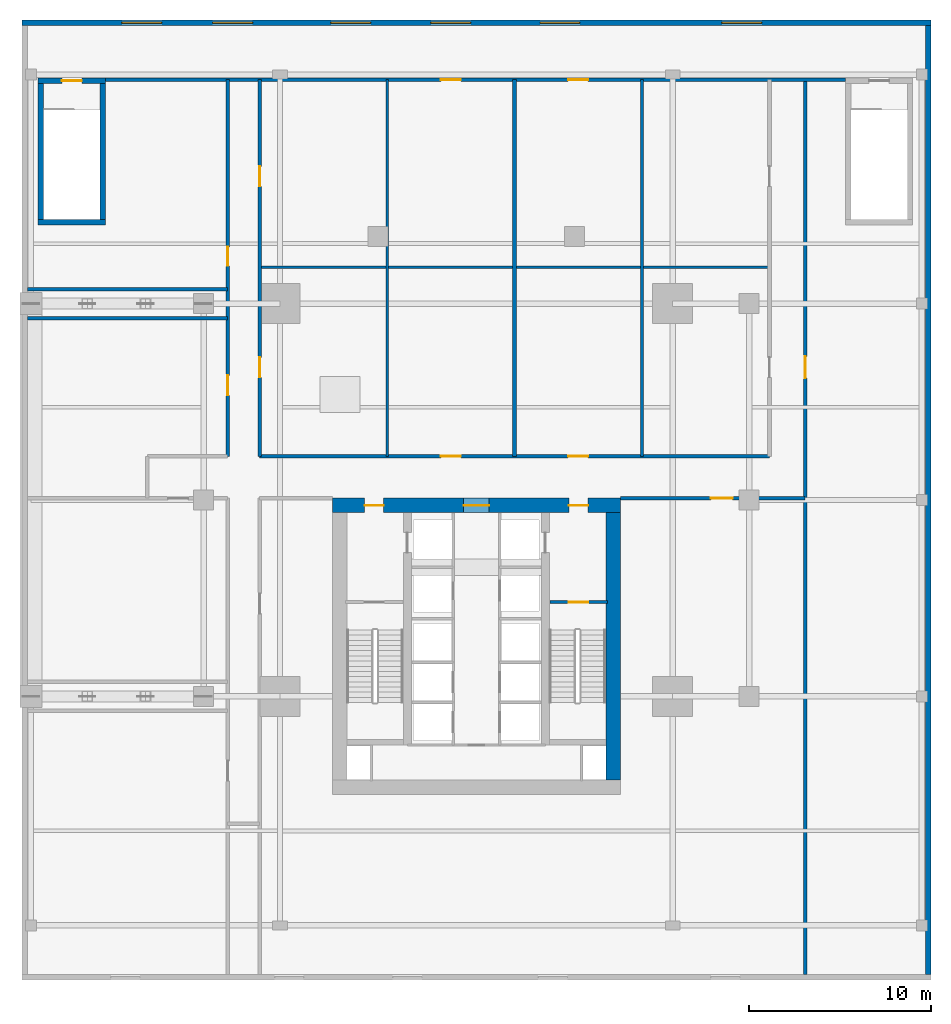
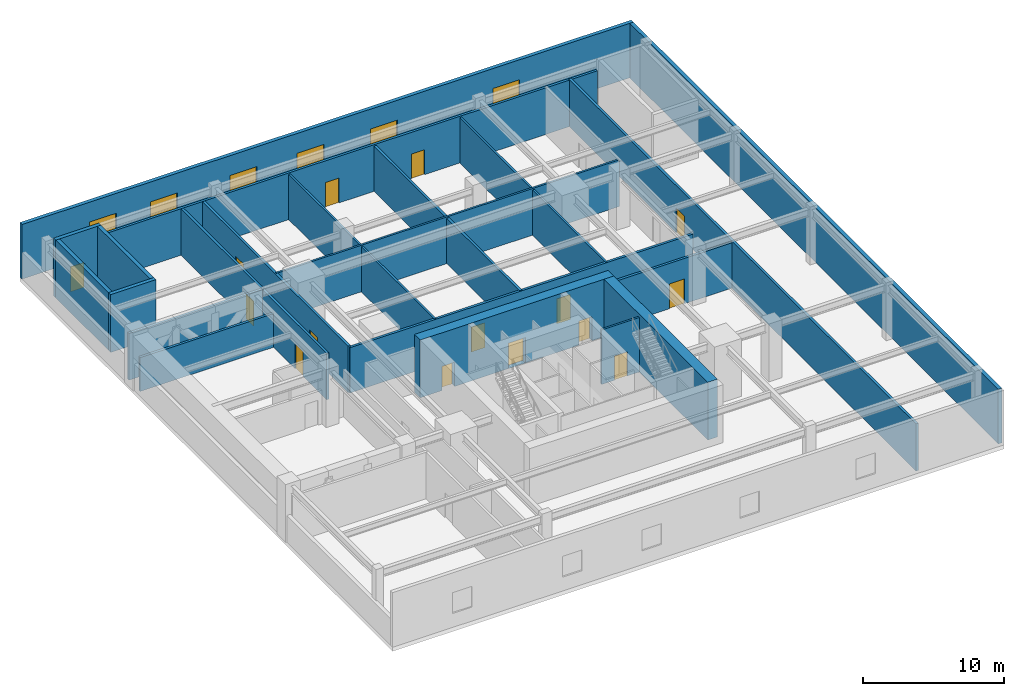
# One storey, part 4 of 7: 21 walls, 15 doors, 6 windows, 21 openings.
"""IFC4 building model written with IfcOpenShell, lengths in metres."""

from ifc_helpers import new_model, si_unit, direction, frame, frame_2d, origin, place, context, subcontext, project, spatial, rectangle, extrude, material, layer, layer_set, type_object, element, fill, save


model = new_model("IFC4")

# Units and contexts
model_context = context("Model", 3, precision=1e-05, world=origin(), true_north=direction((0.0, 1.0)))
body_context = subcontext(model_context, "Body", "Model", "MODEL_VIEW")
ifc_project = project(units=[si_unit("LENGTHUNIT", "METRE"), si_unit("AREAUNIT", "SQUARE_METRE"), si_unit("VOLUMEUNIT", "CUBIC_METRE"), si_unit("PLANEANGLEUNIT", "RADIAN"), si_unit("MASSUNIT", "GRAM", prefix="KILO")], contexts=[model_context])

# Site, building, storey
site_placement = place(None, origin())
site = spatial("IfcSite", under=ifc_project, at=site_placement, CompositionType="ELEMENT")
building_placement = place(site_placement, origin())
building = spatial("IfcBuilding", under=site, at=building_placement, Name="Krantzveldt Concourse Tower", CompositionType="ELEMENT")
storey_placement = place(building_placement, frame((0.0, 0.0, 20.0)))
storey = spatial("IfcBuildingStorey", under=building, at=storey_placement, Name="L04", CompositionType="ELEMENT", Elevation=20.0)

# Wall, openings, windows
ifc_material_1 = material(Name="Concrete C40/50", Category="concrete")
ifc_layer_1 = layer(ifc_material_1, 0.300048828125, Name="Concrete C40/50", Category="concrete")
ifc_layer_set_1 = layer_set([ifc_layer_1], Name="Concrete C40/50 (WL-EXT-GRAN300)")
wall_type_1 = type_object("IfcWallType", Name="WL-EXT-GRAN300", PredefinedType="SOLIDWALL", material=ifc_layer_set_1)
wall_1_placement = place(storey_placement, frame((11.0, 52.949951171875, 0.0), z_axis=(0.0, 0.0, 1.0), x_axis=(1.0, 0.0, 0.0)))
wall_1 = element("IfcWall", 1, at=wall_1_placement, inside=storey, type_object=wall_type_1, Name="EW-L04-N", PredefinedType="SOLIDWALL", context=body_context, shape_type="SweptSolid", body=[
    extrude(rectangle(XDim=50.0, YDim=0.300048828125, at=frame_2d((25.0, 0.0))), origin(), (0.0, 0.0, 1.0), 4.719970703125),
])
opening_1_placement = place(wall_1_placement, frame((5.5, 0.0, 1.199951171875)))
opening_1 = element("IfcOpeningElement", 2, at=opening_1_placement, cuts=wall_1, Name="Opening W-LVR-2200x1800", PredefinedType="OPENING", context=body_context, shape_type="SweptSolid", body=[
    extrude(rectangle(XDim=2.199951171875, YDim=1.800048828125, at=frame_2d((1.10009765625, 0.89990234375))), frame((0.0, 0.16015625, 0.0), z_axis=(0.0, -1.0, 0.0), x_axis=(1.0, 0.0, 0.0)), (0.0, 0.0, 1.0), 0.320068359375),
])
opening_2_placement = place(wall_1_placement, frame((10.5, 0.0, 1.199951171875)))
opening_2 = element("IfcOpeningElement", 3, at=opening_2_placement, cuts=wall_1, Name="Opening W-LVR-2200x1800", PredefinedType="OPENING", context=body_context, shape_type="SweptSolid", body=[
    extrude(rectangle(XDim=2.199951171875, YDim=1.800048828125, at=frame_2d((1.10009765625, 0.89990234375))), frame((0.0, 0.16015625, 0.0), z_axis=(0.0, -1.0, 0.0), x_axis=(1.0, 0.0, 0.0)), (0.0, 0.0, 1.0), 0.320068359375),
])
opening_3_placement = place(wall_1_placement, frame((17.0, 0.0, 1.199951171875)))
opening_3 = element("IfcOpeningElement", 4, at=opening_3_placement, cuts=wall_1, Name="Opening W-LVR-2200x1800", PredefinedType="OPENING", context=body_context, shape_type="SweptSolid", body=[
    extrude(rectangle(XDim=2.199951171875, YDim=1.800048828125, at=frame_2d((1.10009765625, 0.89990234375))), frame((0.0, 0.16015625, 0.0), z_axis=(0.0, -1.0, 0.0), x_axis=(1.0, 0.0, 0.0)), (0.0, 0.0, 1.0), 0.320068359375),
])
opening_4_placement = place(wall_1_placement, frame((22.5, 0.0, 1.199951171875)))
opening_4 = element("IfcOpeningElement", 5, at=opening_4_placement, cuts=wall_1, Name="Opening W-LVR-2200x1800", PredefinedType="OPENING", context=body_context, shape_type="SweptSolid", body=[
    extrude(rectangle(XDim=2.199951171875, YDim=1.800048828125, at=frame_2d((1.10009765625, 0.89990234375))), frame((0.0, 0.16015625, 0.0), z_axis=(0.0, -1.0, 0.0), x_axis=(1.0, 0.0, 0.0)), (0.0, 0.0, 1.0), 0.320068359375),
])
opening_5_placement = place(wall_1_placement, frame((28.5, 0.0, 1.199951171875)))
opening_5 = element("IfcOpeningElement", 6, at=opening_5_placement, cuts=wall_1, Name="Opening W-LVR-2200x1800", PredefinedType="OPENING", context=body_context, shape_type="SweptSolid", body=[
    extrude(rectangle(XDim=2.199951171875, YDim=1.800048828125, at=frame_2d((1.10009765625, 0.89990234375))), frame((0.0, 0.16015625, 0.0), z_axis=(0.0, -1.0, 0.0), x_axis=(1.0, 0.0, 0.0)), (0.0, 0.0, 1.0), 0.320068359375),
])
opening_6_placement = place(wall_1_placement, frame((38.5, 0.0, 1.199951171875)))
opening_6 = element("IfcOpeningElement", 7, at=opening_6_placement, cuts=wall_1, Name="Opening W-LVR-2200x1800", PredefinedType="OPENING", context=body_context, shape_type="SweptSolid", body=[
    extrude(rectangle(XDim=2.199951171875, YDim=1.800048828125, at=frame_2d((1.10009765625, 0.89990234375))), frame((0.0, 0.16015625, 0.0), z_axis=(0.0, -1.0, 0.0), x_axis=(1.0, 0.0, 0.0)), (0.0, 0.0, 1.0), 0.320068359375),
])
ifc_material_2 = material(Name="Bronze-tinted laminated low-E IGU glass", Category="glass")
window_type = type_object("IfcWindowType", Name="WN-LVR-2200x1800", PartitioningType="SINGLE_PANEL", PredefinedType="WINDOW", material=ifc_material_2)
window_1_placement = place(opening_1_placement, origin())
window_1 = element("IfcWindow", 8, at=window_1_placement, inside=storey, type_object=window_type, Name="WN-L04-N01", OverallHeight=1.800048828125, OverallWidth=2.199951171875, PartitioningType="SINGLE_PANEL", PredefinedType="WINDOW", context=body_context, shape_type="SweptSolid", body=[
    extrude(rectangle(XDim=2.199951171875, YDim=1.800048828125, at=frame_2d((1.10009765625, 0.89990234375))), frame((0.0, 0.030029296875, 0.0), z_axis=(0.0, -1.0, 0.0), x_axis=(1.0, 0.0, 0.0)), (0.0, 0.0, 1.0), 0.06005859375),
])
fill(opening_1, window_1)
window_2_placement = place(opening_2_placement, origin())
window_2 = element("IfcWindow", 9, at=window_2_placement, inside=storey, type_object=window_type, Name="WN-L04-N02", OverallHeight=1.800048828125, OverallWidth=2.199951171875, PartitioningType="SINGLE_PANEL", PredefinedType="WINDOW", context=body_context, shape_type="SweptSolid", body=[
    extrude(rectangle(XDim=2.199951171875, YDim=1.800048828125, at=frame_2d((1.10009765625, 0.89990234375))), frame((0.0, 0.030029296875, 0.0), z_axis=(0.0, -1.0, 0.0), x_axis=(1.0, 0.0, 0.0)), (0.0, 0.0, 1.0), 0.06005859375),
])
fill(opening_2, window_2)
window_3_placement = place(opening_3_placement, origin())
window_3 = element("IfcWindow", 10, at=window_3_placement, inside=storey, type_object=window_type, Name="WN-L04-N03", OverallHeight=1.800048828125, OverallWidth=2.199951171875, PartitioningType="SINGLE_PANEL", PredefinedType="WINDOW", context=body_context, shape_type="SweptSolid", body=[
    extrude(rectangle(XDim=2.199951171875, YDim=1.800048828125, at=frame_2d((1.10009765625, 0.89990234375))), frame((0.0, 0.030029296875, 0.0), z_axis=(0.0, -1.0, 0.0), x_axis=(1.0, 0.0, 0.0)), (0.0, 0.0, 1.0), 0.06005859375),
])
fill(opening_3, window_3)
window_4_placement = place(opening_4_placement, origin())
window_4 = element("IfcWindow", 11, at=window_4_placement, inside=storey, type_object=window_type, Name="WN-L04-N04", OverallHeight=1.800048828125, OverallWidth=2.199951171875, PartitioningType="SINGLE_PANEL", PredefinedType="WINDOW", context=body_context, shape_type="SweptSolid", body=[
    extrude(rectangle(XDim=2.199951171875, YDim=1.800048828125, at=frame_2d((1.10009765625, 0.89990234375))), frame((0.0, 0.030029296875, 0.0), z_axis=(0.0, -1.0, 0.0), x_axis=(1.0, 0.0, 0.0)), (0.0, 0.0, 1.0), 0.06005859375),
])
fill(opening_4, window_4)
window_5_placement = place(opening_5_placement, origin())
window_5 = element("IfcWindow", 12, at=window_5_placement, inside=storey, type_object=window_type, Name="WN-L04-N05", OverallHeight=1.800048828125, OverallWidth=2.199951171875, PartitioningType="SINGLE_PANEL", PredefinedType="WINDOW", context=body_context, shape_type="SweptSolid", body=[
    extrude(rectangle(XDim=2.199951171875, YDim=1.800048828125, at=frame_2d((1.10009765625, 0.89990234375))), frame((0.0, 0.030029296875, 0.0), z_axis=(0.0, -1.0, 0.0), x_axis=(1.0, 0.0, 0.0)), (0.0, 0.0, 1.0), 0.06005859375),
])
fill(opening_5, window_5)
window_6_placement = place(opening_6_placement, origin())
window_6 = element("IfcWindow", 13, at=window_6_placement, inside=storey, type_object=window_type, Name="WN-L04-N06", OverallHeight=1.800048828125, OverallWidth=2.199951171875, PartitioningType="SINGLE_PANEL", PredefinedType="WINDOW", context=body_context, shape_type="SweptSolid", body=[
    extrude(rectangle(XDim=2.199951171875, YDim=1.800048828125, at=frame_2d((1.10009765625, 0.89990234375))), frame((0.0, 0.030029296875, 0.0), z_axis=(0.0, -1.0, 0.0), x_axis=(1.0, 0.0, 0.0)), (0.0, 0.0, 1.0), 0.06005859375),
])
fill(opening_6, window_6)

# Wall
wall_2_placement = place(storey_placement, frame((60.85009765625, 52.800048828125, 0.0), z_axis=(0.0, 0.0, 1.0), x_axis=(0.0, -1.0, 0.0)))
element("IfcWall", 14, at=wall_2_placement, inside=storey, type_object=wall_type_1, Name="EW-L04-E", PredefinedType="SOLIDWALL", context=body_context, shape_type="SweptSolid", body=[
    extrude(rectangle(XDim=52.199951171875, YDim=0.300048828125, at=frame_2d((26.10009765625, 0.0))), origin(), (0.0, 0.0, 1.0), 4.719970703125),
])

# Wall, opening, door
ifc_material_3 = material(Name="Fire-rated gypsum plasterboard on steel stud", Category="steel")
ifc_layer_2 = layer(ifc_material_3, 0.159912109375, Name="Fire-rated gypsum plasterboard on steel stud", Category="steel")
ifc_layer_set_2 = layer_set([ifc_layer_2], Name="Fire-rated gypsum plasterboard on steel stud (WL-PART-FR160)")
wall_type_2 = type_object("IfcWallType", Name="WL-PART-FR160", PredefinedType="PARTITIONING", material=ifc_layer_set_2)
wall_3_placement = place(storey_placement, frame((40.0400390625, 21.080078125, 0.0), z_axis=(0.0, 0.0, 1.0), x_axis=(1.0, 0.0, 0.0)))
wall_3 = element("IfcWall", 15, at=wall_3_placement, inside=storey, type_object=wall_type_2, Name="WP-L04-ST2", PredefinedType="PARTITIONING", context=body_context, shape_type="SweptSolid", body=[
    extrude(rectangle(XDim=3.159912109375, YDim=0.159912109375, at=frame_2d((1.580078125, 0.0))), origin(), (0.0, 0.0, 1.0), 4.719970703125),
])
opening_7_placement = place(wall_3_placement, frame((1.054931640625, 0.0, 0.0)))
opening_7 = element("IfcOpeningElement", 16, at=opening_7_placement, cuts=wall_3, Name="Opening D-FD105", PredefinedType="OPENING", context=body_context, shape_type="SweptSolid", body=[
    extrude(rectangle(XDim=1.050048828125, YDim=2.10009765625, at=frame_2d((0.52490234375, 1.050048828125))), frame((0.0, 0.08984375, 0.0), z_axis=(0.0, -1.0, 0.0), x_axis=(1.0, 0.0, 0.0)), (0.0, 0.0, 1.0), 0.179931640625),
])
ifc_material_4 = material(Name="Galvanised steel", Category="steel")
door_type_1 = type_object("IfcDoorType", Name="DR-FD120-1050", OperationType="SINGLE_SWING_LEFT", PredefinedType="DOOR", material=ifc_material_4)
door_1_placement = place(opening_7_placement, origin())
door_1 = element("IfcDoor", 17, at=door_1_placement, inside=storey, type_object=door_type_1, Name="DR-L04-ST2", OperationType="SINGLE_SWING_LEFT", OverallHeight=2.10009765625, OverallWidth=1.050048828125, PredefinedType="DOOR", context=body_context, shape_type="SweptSolid", body=[
    extrude(rectangle(XDim=1.050048828125, YDim=2.10009765625, at=frame_2d((0.52490234375, 1.050048828125))), frame((0.0, 0.02490234375, 0.0), z_axis=(0.0, -1.0, 0.0), x_axis=(1.0, 0.0, 0.0)), (0.0, 0.0, 1.0), 0.050048828125),
])
fill(opening_7, door_1)

# Walls
for number, where, z_axis, x_axis, name in (
    (18, (31.10009765625, 29.10009765625, 0.0), (0.0, 0.0, 1.0), (0.0, 1.0, 0.0), "WP-L04-M1"),
    (19, (45.10009765625, 29.10009765625, 0.0), (0.0, 0.0, 1.0), (0.0, 1.0, 0.0), "WP-L04-M2"),
):
    element("IfcWall", number, at=place(storey_placement, frame(where, z_axis=z_axis, x_axis=x_axis)), inside=storey, type_object=wall_type_2, Name=name, PredefinedType="PARTITIONING", context=body_context, shape_type="SweptSolid", body=[
        extrude(rectangle(XDim=20.719970703125, YDim=0.159912109375, at=frame_2d((10.35986328125, 0.0))), origin(), (0.0, 0.0, 1.0), 3.919921875),
    ])
wall_4_placement = place(storey_placement, frame((24.080078125, 39.5, 0.0), z_axis=(0.0, 0.0, 1.0), x_axis=(1.0, 0.0, 0.0)))
element("IfcWall", 20, at=wall_4_placement, inside=storey, type_object=wall_type_2, Name="WP-L04-HZ", PredefinedType="PARTITIONING", context=body_context, shape_type="SweptSolid", body=[
    extrude(rectangle(XDim=28.0400390625, YDim=0.159912109375, at=frame_2d((14.02001953125, 0.0))), origin(), (0.0, 0.0, 1.0), 4.030029296875),
])

# Wall, opening, door
ifc_layer_3 = layer(ifc_material_3, 0.199951171875, Name="Fire-rated gypsum plasterboard on steel stud", Category="steel")
ifc_layer_set_3 = layer_set([ifc_layer_3], Name="Fire-rated gypsum plasterboard on steel stud (WL-PART-FR200)")
wall_type_3 = type_object("IfcWallType", Name="WL-PART-FR200", PredefinedType="PARTITIONING", material=ifc_layer_set_3)
wall_5_placement = place(storey_placement, frame((43.919921875, 26.800048828125, 0.0), z_axis=(0.0, 0.0, 1.0), x_axis=(1.0, 0.0, 0.0)))
wall_5 = element("IfcWall", 21, at=wall_5_placement, inside=storey, type_object=wall_type_3, Name="WP-L04-S2", PredefinedType="PARTITIONING", context=body_context, shape_type="SweptSolid", body=[
    extrude(rectangle(XDim=10.16015625, YDim=0.199951171875, at=frame_2d((5.080078125, 0.0))), origin(), (0.0, 0.0, 1.0), 3.919921875),
])
opening_8_placement = place(wall_5_placement, frame((4.97998046875, 0.0, 0.0)))
opening_8 = element("IfcOpeningElement", 22, at=opening_8_placement, cuts=wall_5, Name="Opening D-FD120", PredefinedType="OPENING", context=body_context, shape_type="SweptSolid", body=[
    extrude(rectangle(XDim=1.199951171875, YDim=2.14990234375, at=frame_2d((0.60009765625, 1.074951171875))), frame((0.0, 0.10986328125, 0.0), z_axis=(0.0, -1.0, 0.0), x_axis=(1.0, 0.0, 0.0)), (0.0, 0.0, 1.0), 0.219970703125),
])
door_type_2 = type_object("IfcDoorType", Name="DR-FD120-1200", OperationType="SINGLE_SWING_LEFT", PredefinedType="DOOR", material=ifc_material_4)
door_2_placement = place(opening_8_placement, origin())
door_2 = element("IfcDoor", 23, at=door_2_placement, inside=storey, type_object=door_type_2, Name="DR-L04-PUMP1", OperationType="SINGLE_SWING_RIGHT", OverallHeight=2.14990234375, OverallWidth=1.199951171875, PredefinedType="DOOR", context=body_context, shape_type="SweptSolid", body=[
    extrude(rectangle(XDim=1.199951171875, YDim=2.14990234375, at=frame_2d((0.60009765625, 1.074951171875))), frame((0.0, 0.02490234375, 0.0), z_axis=(0.0, -1.0, 0.0), x_axis=(1.0, 0.0, 0.0)), (0.0, 0.0, 1.0), 0.050048828125),
])
fill(opening_8, door_2)

# Walls
wall_6_placement = place(storey_placement, frame((11.304931640625, 36.699951171875, 0.0), z_axis=(0.0, 0.0, 1.0), x_axis=(1.0, 0.0, 0.0)))
element("IfcWall", 24, at=wall_6_placement, inside=storey, type_object=wall_type_3, Name="WP-L04-TT2S", PredefinedType="PARTITIONING", context=body_context, shape_type="SweptSolid", body=[
    extrude(rectangle(XDim=11.01513671875, YDim=0.199951171875, at=frame_2d((5.507568359375, 0.0))), origin(), (0.0, 0.0, 1.0), 2.919921875),
])
wall_7_placement = place(storey_placement, frame((11.304931640625, 38.300048828125, 0.0), z_axis=(0.0, 0.0, 1.0), x_axis=(1.0, 0.0, 0.0)))
element("IfcWall", 25, at=wall_7_placement, inside=storey, type_object=wall_type_3, Name="WP-L04-TT2N", PredefinedType="PARTITIONING", context=body_context, shape_type="SweptSolid", body=[
    extrude(rectangle(XDim=11.01513671875, YDim=0.199951171875, at=frame_2d((5.507568359375, 0.0))), origin(), (0.0, 0.0, 1.0), 4.030029296875),
])

# Wall, openings, doors
wall_8_placement = place(storey_placement, frame((24.080078125, 29.10009765625, 0.0), z_axis=(0.0, 0.0, 1.0), x_axis=(1.0, 0.0, 0.0)))
wall_8 = element("IfcWall", 26, at=wall_8_placement, inside=storey, type_object=wall_type_3, Name="WP-L04-N1", PredefinedType="PARTITIONING", context=body_context, shape_type="SweptSolid", body=[
    extrude(rectangle(XDim=28.0400390625, YDim=0.199951171875, at=frame_2d((14.02001953125, 0.0))), origin(), (0.0, 0.0, 1.0), 3.919921875),
])
opening_9_placement = place(wall_8_placement, frame((9.969970703125, 0.0, 0.0)))
opening_9 = element("IfcOpeningElement", 27, at=opening_9_placement, cuts=wall_8, Name="Opening D-FD110", PredefinedType="OPENING", context=body_context, shape_type="SweptSolid", body=[
    extrude(rectangle(XDim=1.10009765625, YDim=2.14990234375, at=frame_2d((0.550048828125, 1.074951171875))), frame((0.0, 0.10986328125, 0.0), z_axis=(0.0, -1.0, 0.0), x_axis=(1.0, 0.0, 0.0)), (0.0, 0.0, 1.0), 0.219970703125),
])
opening_10_placement = place(wall_8_placement, frame((16.969970703125, 0.0, 0.0)))
opening_10 = element("IfcOpeningElement", 28, at=opening_10_placement, cuts=wall_8, Name="Opening D-FD110", PredefinedType="OPENING", context=body_context, shape_type="SweptSolid", body=[
    extrude(rectangle(XDim=1.10009765625, YDim=2.14990234375, at=frame_2d((0.550048828125, 1.074951171875))), frame((0.0, 0.10986328125, 0.0), z_axis=(0.0, -1.0, 0.0), x_axis=(1.0, 0.0, 0.0)), (0.0, 0.0, 1.0), 0.219970703125),
])
door_type_3 = type_object("IfcDoorType", Name="DR-FD120-1100", OperationType="SINGLE_SWING_LEFT", PredefinedType="DOOR", material=ifc_material_4)
door_3_placement = place(opening_9_placement, origin())
door_3 = element("IfcDoor", 29, at=door_3_placement, inside=storey, type_object=door_type_3, Name="DR-L04-FAN1", OperationType="SINGLE_SWING_LEFT", OverallHeight=2.14990234375, OverallWidth=1.10009765625, PredefinedType="DOOR", context=body_context, shape_type="SweptSolid", body=[
    extrude(rectangle(XDim=1.10009765625, YDim=2.14990234375, at=frame_2d((0.550048828125, 1.074951171875))), frame((0.0, 0.02490234375, 0.0), z_axis=(0.0, -1.0, 0.0), x_axis=(1.0, 0.0, 0.0)), (0.0, 0.0, 1.0), 0.050048828125),
])
fill(opening_9, door_3)
door_4_placement = place(opening_10_placement, origin())
door_4 = element("IfcDoor", 30, at=door_4_placement, inside=storey, type_object=door_type_3, Name="DR-L04-SWG1", OperationType="SINGLE_SWING_RIGHT", OverallHeight=2.14990234375, OverallWidth=1.10009765625, PredefinedType="DOOR", context=body_context, shape_type="SweptSolid", body=[
    extrude(rectangle(XDim=1.10009765625, YDim=2.14990234375, at=frame_2d((0.550048828125, 1.074951171875))), frame((0.0, 0.02490234375, 0.0), z_axis=(0.0, -1.0, 0.0), x_axis=(1.0, 0.0, 0.0)), (0.0, 0.0, 1.0), 0.050048828125),
])
fill(opening_10, door_4)

wall_9_placement = place(storey_placement, frame((15.60009765625, 49.820068359375, 0.0), z_axis=(0.0, 0.0, 1.0), x_axis=(1.0, 0.0, 0.0)))
wall_9 = element("IfcWall", 31, at=wall_9_placement, inside=storey, type_object=wall_type_3, Name="WP-L04-NT", PredefinedType="PARTITIONING", context=body_context, shape_type="SweptSolid", body=[
    extrude(rectangle(XDim=40.699951171875, YDim=0.199951171875, at=frame_2d((20.35009765625, 0.0))), origin(), (0.0, 0.0, 1.0), 4.030029296875),
])
opening_11_placement = place(wall_9_placement, frame((18.449951171875, 0.0, 0.0)))
opening_11 = element("IfcOpeningElement", 32, at=opening_11_placement, cuts=wall_9, Name="Opening D-FD110", PredefinedType="OPENING", context=body_context, shape_type="SweptSolid", body=[
    extrude(rectangle(XDim=1.10009765625, YDim=2.14990234375, at=frame_2d((0.550048828125, 1.074951171875))), frame((0.0, 0.10986328125, 0.0), z_axis=(0.0, -1.0, 0.0), x_axis=(1.0, 0.0, 0.0)), (0.0, 0.0, 1.0), 0.219970703125),
])
opening_12_placement = place(wall_9_placement, frame((25.449951171875, 0.0, 0.0)))
opening_12 = element("IfcOpeningElement", 33, at=opening_12_placement, cuts=wall_9, Name="Opening D-FD110", PredefinedType="OPENING", context=body_context, shape_type="SweptSolid", body=[
    extrude(rectangle(XDim=1.10009765625, YDim=2.14990234375, at=frame_2d((0.550048828125, 1.074951171875))), frame((0.0, 0.10986328125, 0.0), z_axis=(0.0, -1.0, 0.0), x_axis=(1.0, 0.0, 0.0)), (0.0, 0.0, 1.0), 0.219970703125),
])
door_5_placement = place(opening_11_placement, origin())
door_5 = element("IfcDoor", 34, at=door_5_placement, inside=storey, type_object=door_type_3, Name="DR-L04-FAN2", OperationType="SINGLE_SWING_RIGHT", OverallHeight=2.14990234375, OverallWidth=1.10009765625, PredefinedType="DOOR", context=body_context, shape_type="SweptSolid", body=[
    extrude(rectangle(XDim=1.10009765625, YDim=2.14990234375, at=frame_2d((0.550048828125, 1.074951171875))), frame((0.0, 0.02490234375, 0.0), z_axis=(0.0, -1.0, 0.0), x_axis=(1.0, 0.0, 0.0)), (0.0, 0.0, 1.0), 0.050048828125),
])
fill(opening_11, door_5)
door_6_placement = place(opening_12_placement, origin())
door_6 = element("IfcDoor", 35, at=door_6_placement, inside=storey, type_object=door_type_3, Name="DR-L04-SWG2", OperationType="SINGLE_SWING_LEFT", OverallHeight=2.14990234375, OverallWidth=1.10009765625, PredefinedType="DOOR", context=body_context, shape_type="SweptSolid", body=[
    extrude(rectangle(XDim=1.10009765625, YDim=2.14990234375, at=frame_2d((0.550048828125, 1.074951171875))), frame((0.0, 0.02490234375, 0.0), z_axis=(0.0, -1.0, 0.0), x_axis=(1.0, 0.0, 0.0)), (0.0, 0.0, 1.0), 0.050048828125),
])
fill(opening_12, door_6)

wall_10_placement = place(storey_placement, frame((22.320068359375, 29.10009765625, 0.0), z_axis=(0.0, 0.0, 1.0), x_axis=(0.0, 1.0, 0.0)))
wall_10 = element("IfcWall", 36, at=wall_10_placement, inside=storey, type_object=wall_type_3, Name="WP-L04-WL", PredefinedType="PARTITIONING", context=body_context, shape_type="SweptSolid", body=[
    extrude(rectangle(XDim=20.719970703125, YDim=0.199951171875, at=frame_2d((10.35986328125, 0.0))), origin(), (0.0, 0.0, 1.0), 4.02001953125),
])
opening_13_placement = place(wall_10_placement, frame((3.35009765625, 0.0, 0.0)))
opening_13 = element("IfcOpeningElement", 37, at=opening_13_placement, cuts=wall_10, Name="Opening D-FD110", PredefinedType="OPENING", context=body_context, shape_type="SweptSolid", body=[
    extrude(rectangle(XDim=1.10009765625, YDim=2.14990234375, at=frame_2d((0.550048828125, 1.074951171875))), frame((0.0, 0.10986328125, 0.0), z_axis=(0.0, -1.0, 0.0), x_axis=(1.0, 0.0, 0.0)), (0.0, 0.0, 1.0), 0.219970703125),
])
opening_14_placement = place(wall_10_placement, frame((10.47509765625, 0.0, 0.0)))
opening_14 = element("IfcOpeningElement", 38, at=opening_14_placement, cuts=wall_10, Name="Opening D-FD105", PredefinedType="OPENING", context=body_context, shape_type="SweptSolid", body=[
    extrude(rectangle(XDim=1.050048828125, YDim=2.10009765625, at=frame_2d((0.52490234375, 1.050048828125))), frame((0.0, 0.10986328125, 0.0), z_axis=(0.0, -1.0, 0.0), x_axis=(1.0, 0.0, 0.0)), (0.0, 0.0, 1.0), 0.219970703125),
])
door_7_placement = place(opening_14_placement, origin())
door_7 = element("IfcDoor", 39, at=door_7_placement, inside=storey, type_object=door_type_1, Name="DR-L04-REFGN", OperationType="SINGLE_SWING_LEFT", OverallHeight=2.10009765625, OverallWidth=1.050048828125, PredefinedType="DOOR", context=body_context, shape_type="SweptSolid", body=[
    extrude(rectangle(XDim=1.050048828125, YDim=2.10009765625, at=frame_2d((0.52490234375, 1.050048828125))), frame((0.0, 0.02490234375, 0.0), z_axis=(0.0, -1.0, 0.0), x_axis=(1.0, 0.0, 0.0)), (0.0, 0.0, 1.0), 0.050048828125),
])
fill(opening_14, door_7)
door_8_placement = place(opening_13_placement, origin())
door_8 = element("IfcDoor", 40, at=door_8_placement, inside=storey, type_object=door_type_3, Name="DR-L04-REFG", OperationType="SINGLE_SWING_RIGHT", OverallHeight=2.14990234375, OverallWidth=1.10009765625, PredefinedType="DOOR", context=body_context, shape_type="SweptSolid", body=[
    extrude(rectangle(XDim=1.10009765625, YDim=2.14990234375, at=frame_2d((0.550048828125, 1.074951171875))), frame((0.0, 0.02490234375, 0.0), z_axis=(0.0, -1.0, 0.0), x_axis=(1.0, 0.0, 0.0)), (0.0, 0.0, 1.0), 0.050048828125),
])
fill(opening_13, door_8)

wall_11_placement = place(storey_placement, frame((24.080078125, 29.10009765625, 0.0), z_axis=(0.0, 0.0, 1.0), x_axis=(0.0, 1.0, 0.0)))
wall_11 = element("IfcWall", 41, at=wall_11_placement, inside=storey, type_object=wall_type_3, Name="WP-L04-WR", PredefinedType="PARTITIONING", context=body_context, shape_type="SweptSolid", body=[
    extrude(rectangle(XDim=20.719970703125, YDim=0.199951171875, at=frame_2d((10.35986328125, 0.0))), origin(), (0.0, 0.0, 1.0), 4.02001953125),
])
opening_15_placement = place(wall_11_placement, frame((4.35009765625, 0.0, 0.0)))
opening_15 = element("IfcOpeningElement", 42, at=opening_15_placement, cuts=wall_11, Name="Opening D-FD110", PredefinedType="OPENING", context=body_context, shape_type="SweptSolid", body=[
    extrude(rectangle(XDim=1.10009765625, YDim=2.14990234375, at=frame_2d((0.550048828125, 1.074951171875))), frame((0.0, 0.10986328125, 0.0), z_axis=(0.0, -1.0, 0.0), x_axis=(1.0, 0.0, 0.0)), (0.0, 0.0, 1.0), 0.219970703125),
])
opening_16_placement = place(wall_11_placement, frame((14.85009765625, 0.0, 0.0)))
opening_16 = element("IfcOpeningElement", 43, at=opening_16_placement, cuts=wall_11, Name="Opening D-FD110", PredefinedType="OPENING", context=body_context, shape_type="SweptSolid", body=[
    extrude(rectangle(XDim=1.10009765625, YDim=2.14990234375, at=frame_2d((0.550048828125, 1.074951171875))), frame((0.0, 0.10986328125, 0.0), z_axis=(0.0, -1.0, 0.0), x_axis=(1.0, 0.0, 0.0)), (0.0, 0.0, 1.0), 0.219970703125),
])
door_9_placement = place(opening_15_placement, origin())
door_9 = element("IfcDoor", 44, at=door_9_placement, inside=storey, type_object=door_type_3, Name="DR-L04-AHU1", OperationType="SINGLE_SWING_LEFT", OverallHeight=2.14990234375, OverallWidth=1.10009765625, PredefinedType="DOOR", context=body_context, shape_type="SweptSolid", body=[
    extrude(rectangle(XDim=1.10009765625, YDim=2.14990234375, at=frame_2d((0.550048828125, 1.074951171875))), frame((0.0, 0.02490234375, 0.0), z_axis=(0.0, -1.0, 0.0), x_axis=(1.0, 0.0, 0.0)), (0.0, 0.0, 1.0), 0.050048828125),
])
fill(opening_15, door_9)
door_10_placement = place(opening_16_placement, origin())
door_10 = element("IfcDoor", 45, at=door_10_placement, inside=storey, type_object=door_type_3, Name="DR-L04-AHU2", OperationType="SINGLE_SWING_RIGHT", OverallHeight=2.14990234375, OverallWidth=1.10009765625, PredefinedType="DOOR", context=body_context, shape_type="SweptSolid", body=[
    extrude(rectangle(XDim=1.10009765625, YDim=2.14990234375, at=frame_2d((0.550048828125, 1.074951171875))), frame((0.0, 0.02490234375, 0.0), z_axis=(0.0, -1.0, 0.0), x_axis=(1.0, 0.0, 0.0)), (0.0, 0.0, 1.0), 0.050048828125),
])
fill(opening_16, door_10)

# Wall, opening, door
wall_12_placement = place(storey_placement, frame((54.080078125, 0.60498046875, 0.0), z_axis=(0.0, 0.0, 1.0), x_axis=(0.0, 1.0, 0.0)))
wall_12 = element("IfcWall", 46, at=wall_12_placement, inside=storey, type_object=wall_type_3, Name="WP-L04-ER", PredefinedType="PARTITIONING", context=body_context, shape_type="SweptSolid", body=[
    extrude(rectangle(XDim=49.215087890625, YDim=0.199951171875, at=frame_2d((24.607421875, 0.0))), origin(), (0.0, 0.0, 1.0), 4.080078125),
])
opening_17_placement = place(wall_12_placement, frame((32.794921875, 0.0, 0.0)))
opening_17 = element("IfcOpeningElement", 47, at=opening_17_placement, cuts=wall_12, Name="Opening D-FD120", PredefinedType="OPENING", context=body_context, shape_type="SweptSolid", body=[
    extrude(rectangle(XDim=1.199951171875, YDim=2.14990234375, at=frame_2d((0.60009765625, 1.074951171875))), frame((0.0, 0.10986328125, 0.0), z_axis=(0.0, -1.0, 0.0), x_axis=(1.0, 0.0, 0.0)), (0.0, 0.0, 1.0), 0.219970703125),
])
door_11_placement = place(opening_17_placement, origin())
door_11 = element("IfcDoor", 48, at=door_11_placement, inside=storey, type_object=door_type_2, Name="DR-L04-PUMP2", OperationType="SINGLE_SWING_LEFT", OverallHeight=2.14990234375, OverallWidth=1.199951171875, PredefinedType="DOOR", context=body_context, shape_type="SweptSolid", body=[
    extrude(rectangle(XDim=1.199951171875, YDim=2.14990234375, at=frame_2d((0.60009765625, 1.074951171875))), frame((0.0, 0.02490234375, 0.0), z_axis=(0.0, -1.0, 0.0), x_axis=(1.0, 0.0, 0.0)), (0.0, 0.0, 1.0), 0.050048828125),
])
fill(opening_17, door_11)

# Walls
wall_13_placement = place(storey_placement, frame((38.10009765625, 29.10009765625, 0.0), z_axis=(0.0, 0.0, 1.0), x_axis=(0.0, 1.0, 0.0)))
element("IfcWall", 49, at=wall_13_placement, inside=storey, type_object=wall_type_3, Name="WP-L04-MID", PredefinedType="PARTITIONING", context=body_context, shape_type="SweptSolid", body=[
    extrude(rectangle(XDim=20.719970703125, YDim=0.199951171875, at=frame_2d((10.35986328125, 0.0))), origin(), (0.0, 0.0, 1.0), 3.919921875),
])
ifc_material_5 = material(Name="Concrete C50/60", Category="concrete")
ifc_layer_4 = layer(ifc_material_5, 0.300048828125, Name="Concrete C50/60", Category="concrete")
ifc_layer_set_4 = layer_set([ifc_layer_4], Name="Concrete C50/60 (WL-SHEAR-300)")
wall_type_4 = type_object("IfcWallType", Name="WL-SHEAR-300", PredefinedType="SHEAR", material=ifc_layer_set_4)
wall_14_placement = place(storey_placement, frame((11.89990234375, 41.969970703125, 0.0), z_axis=(0.0, 0.0, 1.0), x_axis=(1.0, 0.0, 0.0)))
element("IfcWall", 50, at=wall_14_placement, inside=storey, type_object=wall_type_4, Name="CW-L04-ST3-S", PredefinedType="SHEAR", context=body_context, shape_type="SweptSolid", body=[
    extrude(rectangle(XDim=3.7001953125, YDim=0.300048828125, at=frame_2d((1.85009765625, 0.0))), origin(), (0.0, 0.0, 1.0), 5.0),
])

# Wall, opening, door
wall_15_placement = place(storey_placement, frame((15.60009765625, 49.75, 0.0), z_axis=(0.0, 0.0, 1.0), x_axis=(-1.0, 0.0, 0.0)))
wall_15 = element("IfcWall", 51, at=wall_15_placement, inside=storey, type_object=wall_type_4, Name="CW-L04-ST3-N", PredefinedType="SHEAR", context=body_context, shape_type="SweptSolid", body=[
    extrude(rectangle(XDim=3.7001953125, YDim=0.300048828125, at=frame_2d((1.85009765625, 0.0))), origin(), (0.0, 0.0, 1.0), 5.0),
])
opening_18_placement = place(wall_15_placement, frame((1.300048828125, 0.0, 0.0)))
opening_18 = element("IfcOpeningElement", 52, at=opening_18_placement, cuts=wall_15, Name="Opening D-FD110", PredefinedType="OPENING", context=body_context, shape_type="SweptSolid", body=[
    extrude(rectangle(XDim=1.10009765625, YDim=2.14990234375, at=frame_2d((0.550048828125, 1.074951171875))), frame((0.0, 0.16015625, 0.0), z_axis=(0.0, -1.0, 0.0), x_axis=(1.0, 0.0, 0.0)), (0.0, 0.0, 1.0), 0.320068359375),
])
door_12_placement = place(opening_18_placement, origin())
door_12 = element("IfcDoor", 53, at=door_12_placement, inside=storey, type_object=door_type_3, Name="DR-L04-ST3", OperationType="SINGLE_SWING_LEFT", OverallHeight=2.14990234375, OverallWidth=1.10009765625, PredefinedType="DOOR", context=body_context, shape_type="SweptSolid", body=[
    extrude(rectangle(XDim=1.10009765625, YDim=2.14990234375, at=frame_2d((0.550048828125, 1.074951171875))), frame((0.0, 0.02490234375, 0.0), z_axis=(0.0, -1.0, 0.0), x_axis=(1.0, 0.0, 0.0)), (0.0, 0.0, 1.0), 0.050048828125),
])
fill(opening_18, door_12)

# Walls
for number, where, z_axis, x_axis, name in (
    (54, (12.050048828125, 42.1201171875, 0.0), (0.0, 0.0, 1.0), (0.0, 1.0, 0.0), "CW-L04-ST3-W"),
    (55, (15.449951171875, 42.1201171875, 0.0), (0.0, 0.0, 1.0), (0.0, 1.0, 0.0), "CW-L04-ST3-E"),
):
    element("IfcWall", number, at=place(storey_placement, frame(where, z_axis=z_axis, x_axis=x_axis)), inside=storey, type_object=wall_type_4, Name=name, PredefinedType="SHEAR", context=body_context, shape_type="SweptSolid", body=[
        extrude(rectangle(XDim=7.47998046875, YDim=0.300048828125, at=frame_2d((3.739990234375, 0.0))), origin(), (0.0, 0.0, 1.0), 5.0),
    ])

# Wall, openings, doors
ifc_material_6 = material(Name="Concrete C60/75", Category="concrete")
ifc_layer_5 = layer(ifc_material_6, 0.800048828125, Name="Concrete C60/75", Category="concrete")
ifc_layer_set_5 = layer_set([ifc_layer_5], Name="Concrete C60/75 (WL-SHEAR-800)")
wall_type_5 = type_object("IfcWallType", Name="WL-SHEAR-800", PredefinedType="SHEAR", material=ifc_layer_set_5)
wall_16_placement = place(storey_placement, frame((28.080078125, 26.39990234375, 0.0), z_axis=(0.0, 0.0, 1.0), x_axis=(1.0, 0.0, 0.0)))
wall_16 = element("IfcWall", 56, at=wall_16_placement, inside=storey, type_object=wall_type_5, Name="CW-L04-N", PredefinedType="SHEAR", context=body_context, shape_type="SweptSolid", body=[
    extrude(rectangle(XDim=15.83984375, YDim=0.800048828125, at=frame_2d((7.919921875, 0.0))), origin(), (0.0, 0.0, 1.0), 5.0),
])
opening_19_placement = place(wall_16_placement, frame((7.219970703125, 0.0, 0.0)))
opening_19 = element("IfcOpeningElement", 57, at=opening_19_placement, cuts=wall_16, Name="Opening D-DB140", PredefinedType="OPENING", context=body_context, shape_type="SweptSolid", body=[
    extrude(rectangle(XDim=1.39990234375, YDim=2.199951171875, at=frame_2d((0.699951171875, 1.10009765625))), frame((0.0, 0.41015625, 0.0), z_axis=(0.0, -1.0, 0.0), x_axis=(1.0, 0.0, 0.0)), (0.0, 0.0, 1.0), 0.820068359375),
])
opening_20_placement = place(wall_16_placement, frame((1.77490234375, 0.0, 0.0)))
opening_20 = element("IfcOpeningElement", 58, at=opening_20_placement, cuts=wall_16, Name="Opening D-FD105", PredefinedType="OPENING", context=body_context, shape_type="SweptSolid", body=[
    extrude(rectangle(XDim=1.050048828125, YDim=2.10009765625, at=frame_2d((0.52490234375, 1.050048828125))), frame((0.0, 0.41015625, 0.0), z_axis=(0.0, -1.0, 0.0), x_axis=(1.0, 0.0, 0.0)), (0.0, 0.0, 1.0), 0.820068359375),
])
opening_21_placement = place(wall_16_placement, frame((13.014892578125, 0.0, 0.0)))
opening_21 = element("IfcOpeningElement", 59, at=opening_21_placement, cuts=wall_16, Name="Opening D-FD105", PredefinedType="OPENING", context=body_context, shape_type="SweptSolid", body=[
    extrude(rectangle(XDim=1.050048828125, YDim=2.10009765625, at=frame_2d((0.52490234375, 1.050048828125))), frame((0.0, 0.41015625, 0.0), z_axis=(0.0, -1.0, 0.0), x_axis=(1.0, 0.0, 0.0)), (0.0, 0.0, 1.0), 0.820068359375),
])
ifc_material_7 = material(Name="Anodised aluminium 6063-T6", Category="aluminium")
door_type_4 = type_object("IfcDoorType", Name="DR-DBL-1400", OperationType="DOUBLE_DOOR_SINGLE_SWING", PredefinedType="DOOR", material=ifc_material_7)
door_13_placement = place(opening_19_placement, origin())
door_13 = element("IfcDoor", 60, at=door_13_placement, inside=storey, type_object=door_type_4, Name="DR-L04-LLB", OperationType="DOUBLE_DOOR_SINGLE_SWING", OverallHeight=2.199951171875, OverallWidth=1.39990234375, PredefinedType="DOOR", context=body_context, shape_type="SweptSolid", body=[
    extrude(rectangle(XDim=1.39990234375, YDim=2.199951171875, at=frame_2d((0.699951171875, 1.10009765625))), frame((0.0, 0.02490234375, 0.0), z_axis=(0.0, -1.0, 0.0), x_axis=(1.0, 0.0, 0.0)), (0.0, 0.0, 1.0), 0.050048828125),
])
fill(opening_19, door_13)
door_14_placement = place(opening_20_placement, origin())
door_14 = element("IfcDoor", 61, at=door_14_placement, inside=storey, type_object=door_type_1, Name="DR-L04-FFL1", OperationType="SINGLE_SWING_LEFT", OverallHeight=2.10009765625, OverallWidth=1.050048828125, PredefinedType="DOOR", context=body_context, shape_type="SweptSolid", body=[
    extrude(rectangle(XDim=1.050048828125, YDim=2.10009765625, at=frame_2d((0.52490234375, 1.050048828125))), frame((0.0, 0.02490234375, 0.0), z_axis=(0.0, -1.0, 0.0), x_axis=(1.0, 0.0, 0.0)), (0.0, 0.0, 1.0), 0.050048828125),
])
fill(opening_20, door_14)
door_15_placement = place(opening_21_placement, origin())
door_15 = element("IfcDoor", 62, at=door_15_placement, inside=storey, type_object=door_type_1, Name="DR-L04-FFL2", OperationType="SINGLE_SWING_RIGHT", OverallHeight=2.10009765625, OverallWidth=1.050048828125, PredefinedType="DOOR", context=body_context, shape_type="SweptSolid", body=[
    extrude(rectangle(XDim=1.050048828125, YDim=2.10009765625, at=frame_2d((0.52490234375, 1.050048828125))), frame((0.0, 0.02490234375, 0.0), z_axis=(0.0, -1.0, 0.0), x_axis=(1.0, 0.0, 0.0)), (0.0, 0.0, 1.0), 0.050048828125),
])
fill(opening_21, door_15)

# Wall
wall_17_placement = place(storey_placement, frame((43.52001953125, 11.300048828125, 0.0), z_axis=(0.0, 0.0, 1.0), x_axis=(0.0, 1.0, 0.0)))
element("IfcWall", 63, at=wall_17_placement, inside=storey, type_object=wall_type_5, Name="CW-L04-E", PredefinedType="SHEAR", context=body_context, shape_type="SweptSolid", body=[
    extrude(rectangle(XDim=14.699951171875, YDim=0.800048828125, at=frame_2d((7.35009765625, 0.0))), origin(), (0.0, 0.0, 1.0), 5.0),
])

save(model, "model.ifc")
